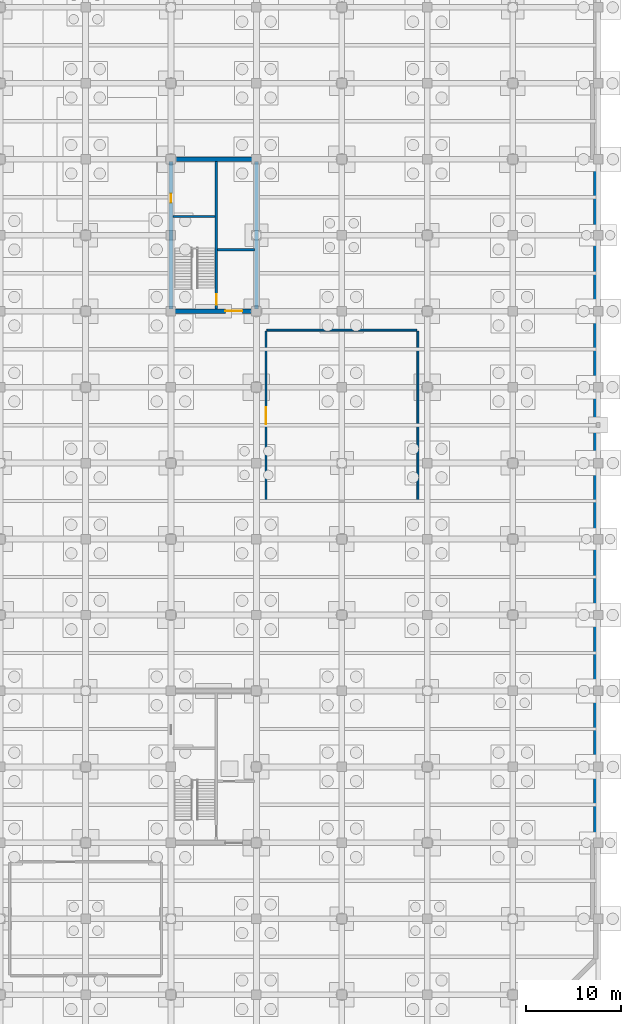
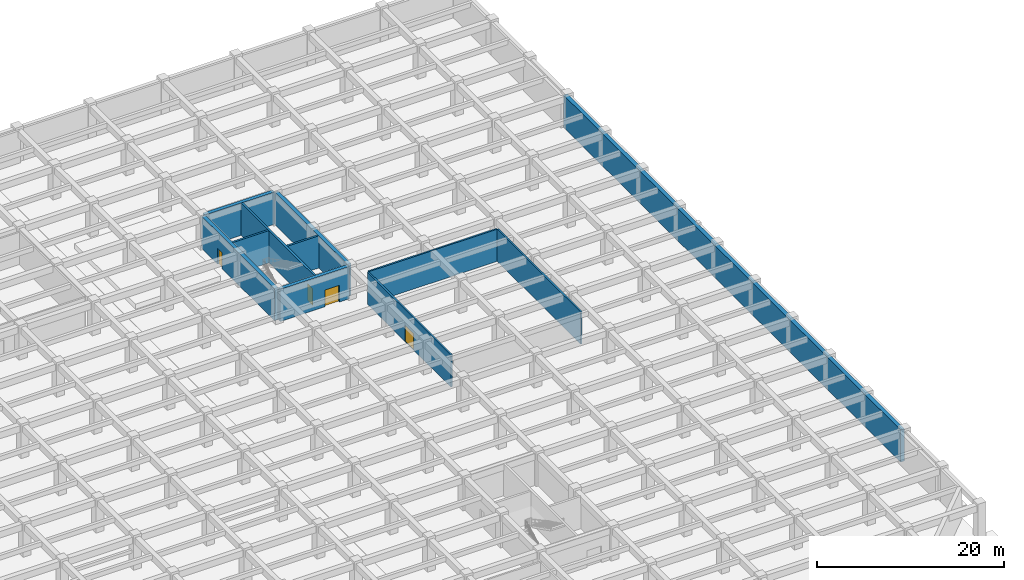
# One storey, part 25 of 31: 11 walls, 4 doors, 4 openings.
"""IFC4 building model written with IfcOpenShell, lengths in metres."""

from ifc_helpers import new_model, si_unit, direction, frame, frame_2d, origin, place, context, subcontext, project, spatial, rectangle, extrude, material, layer, layer_set, type_object, element, fill, save


model = new_model("IFC4")

# Units and contexts
model_context = context("Model", 3, precision=1e-05, world=origin(), true_north=direction((0.0, 1.0)))
body_context = subcontext(model_context, "Body", "Model", "MODEL_VIEW")
ifc_project = project(units=[si_unit("LENGTHUNIT", "METRE"), si_unit("AREAUNIT", "SQUARE_METRE"), si_unit("VOLUMEUNIT", "CUBIC_METRE"), si_unit("PLANEANGLEUNIT", "RADIAN"), si_unit("MASSUNIT", "GRAM", prefix="KILO")], contexts=[model_context])

# Site, building, storey
site_placement = place(None, origin())
site = spatial("IfcSite", under=ifc_project, at=site_placement, CompositionType="ELEMENT")
building_placement = place(site_placement, origin())
building = spatial("IfcBuilding", under=site, at=building_placement, Name="Zaverband Oceanarium and Marine Research Institute", CompositionType="ELEMENT")
storey_placement = place(building_placement, frame((0.0, 0.0, -9.0)))
storey = spatial("IfcBuildingStorey", under=building, at=storey_placement, Name="B2", CompositionType="ELEMENT", Elevation=-9.0)

# Wall, opening, door
ifc_material_1 = material(Name="Concrete C50/60", Category="concrete")
ifc_layer_1 = layer(ifc_material_1, 0.449951171875, Name="Concrete C50/60")
ifc_layer_set_1 = layer_set([ifc_layer_1], Name="Concrete C50/60")
wall_type_1 = type_object("IfcWallType", Name="CW-02", PredefinedType="SHEAR", material=ifc_layer_set_1)
wall_1_placement = place(storey_placement, frame((135.22509765625, 80.0, 0.0), z_axis=(0.0, 0.0, 1.0), x_axis=(1.0, 0.0, 0.0)))
wall_1 = element("IfcWall", 1, at=wall_1_placement, inside=storey, type_object=wall_type_1, Name="Structural shear wall CW-02", PredefinedType="SHEAR", context=body_context, shape_type="SweptSolid", body=[
    extrude(rectangle(XDim=8.5498046875, YDim=0.449951171875, at=frame_2d((4.27490234375, 0.0))), origin(), (0.0, 0.0, 1.0), 4.199951171875),
])
opening_1_placement = place(wall_1_placement, frame((5.5, 0.0, 0.0)))
opening_1 = element("IfcOpeningElement", 2, at=opening_1_placement, cuts=wall_1, Name="Opening FD-02", PredefinedType="OPENING", context=body_context, shape_type="SweptSolid", body=[
    extrude(rectangle(XDim=1.800048828125, YDim=2.179931640625, at=frame_2d((0.89990234375, 1.08984375))), frame((0.0, 0.23681640625, 0.0), z_axis=(0.0, -1.0, 0.0), x_axis=(1.0, 0.0, 0.0)), (0.0, 0.0, 1.0), 0.473876953125),
])
ifc_material_2 = material(Name="Steel S355", Category="steel")
door_type_1 = type_object("IfcDoorType", Name="FD-02", OperationType="DOUBLE_DOOR_SINGLE_SWING", PredefinedType="DOOR", material=ifc_material_2)
door_1_placement = place(opening_1_placement, origin())
door_1 = element("IfcDoor", 3, at=door_1_placement, inside=storey, type_object=door_type_1, Name="Protected lobby double fire door FD-02", OperationType="DOUBLE_DOOR_SINGLE_SWING", OverallHeight=2.179931640625, OverallWidth=1.800048828125, PredefinedType="DOOR", context=body_context, shape_type="SweptSolid", body=[
    extrude(rectangle(XDim=1.800048828125, YDim=2.179931640625, at=frame_2d((0.89990234375, 1.08984375))), frame((0.0, 0.02490234375, 0.0), z_axis=(0.0, -1.0, 0.0), x_axis=(1.0, 0.0, 0.0)), (0.0, 0.0, 1.0), 0.050048828125),
])
fill(opening_1, door_1)

# Wall
wall_2_placement = place(storey_placement, frame((135.22509765625, 96.0, 0.0), z_axis=(0.0, 0.0, 1.0), x_axis=(1.0, 0.0, 0.0)))
element("IfcWall", 4, at=wall_2_placement, inside=storey, type_object=wall_type_1, Name="Structural shear wall CW-02", PredefinedType="SHEAR", context=body_context, shape_type="SweptSolid", body=[
    extrude(rectangle(XDim=8.5498046875, YDim=0.449951171875, at=frame_2d((4.27490234375, 0.0))), origin(), (0.0, 0.0, 1.0), 4.199951171875),
])

# Wall, opening, door
wall_3_placement = place(storey_placement, frame((135.0, 80.22509765625, 0.0), z_axis=(0.0, 0.0, 1.0), x_axis=(0.0, 1.0, 0.0)))
wall_3 = element("IfcWall", 5, at=wall_3_placement, inside=storey, type_object=wall_type_1, Name="Structural shear wall CW-02", PredefinedType="SHEAR", context=body_context, shape_type="SweptSolid", body=[
    extrude(rectangle(XDim=15.5498046875, YDim=0.449951171875, at=frame_2d((7.77490234375, 0.0))), origin(), (0.0, 0.0, 1.0), 4.199951171875),
])
opening_2_placement = place(wall_3_placement, frame((11.199951171875, 0.0, 0.0)))
opening_2 = element("IfcOpeningElement", 6, at=opening_2_placement, cuts=wall_3, Name="Opening FD-03", PredefinedType="OPENING", context=body_context, shape_type="SweptSolid", body=[
    extrude(rectangle(XDim=0.949951171875, YDim=2.10009765625, at=frame_2d((0.47509765625, 1.050048828125))), frame((0.0, 0.23681640625, 0.0), z_axis=(0.0, -1.0, 0.0), x_axis=(1.0, 0.0, 0.0)), (0.0, 0.0, 1.0), 0.473876953125),
])
door_type_2 = type_object("IfcDoorType", Name="FD-03", OperationType="NOTDEFINED", PredefinedType="DOOR", material=ifc_material_2)
door_2_placement = place(opening_2_placement, origin())
door_2 = element("IfcDoor", 7, at=door_2_placement, inside=storey, type_object=door_type_2, Name="Service riser access fire door FD-03", OperationType="SINGLE_SWING_RIGHT", OverallHeight=2.10009765625, OverallWidth=0.949951171875, PredefinedType="DOOR", context=body_context, shape_type="SweptSolid", body=[
    extrude(rectangle(XDim=0.949951171875, YDim=2.10009765625, at=frame_2d((0.47509765625, 1.050048828125))), frame((0.0, 0.02490234375, 0.0), z_axis=(0.0, -1.0, 0.0), x_axis=(1.0, 0.0, 0.0)), (0.0, 0.0, 1.0), 0.050048828125),
])
fill(opening_2, door_2)

# Walls
wall_4_placement = place(storey_placement, frame((144.0, 80.22509765625, 0.0), z_axis=(0.0, 0.0, 1.0), x_axis=(0.0, 1.0, 0.0)))
element("IfcWall", 8, at=wall_4_placement, inside=storey, type_object=wall_type_1, Name="Structural shear wall CW-02", PredefinedType="SHEAR", context=body_context, shape_type="SweptSolid", body=[
    extrude(rectangle(XDim=15.5498046875, YDim=0.449951171875, at=frame_2d((7.77490234375, 0.0))), origin(), (0.0, 0.0, 1.0), 4.199951171875),
])
ifc_material_3 = material(Name="Fire-rated masonry compartment wall", Category="masonry")
ifc_layer_2 = layer(ifc_material_3, 0.199951171875, Name="Fire-rated masonry compartment wall")
ifc_layer_set_2 = layer_set([ifc_layer_2], Name="Fire-rated masonry compartment wall")
wall_type_2 = type_object("IfcWallType", Name="PT-200-FR", PredefinedType="PARTITIONING", material=ifc_layer_set_2)
wall_5_placement = place(storey_placement, frame((145.10009765625, 78.0, 0.0), z_axis=(0.0, 0.0, 1.0), x_axis=(1.0, 0.0, 0.0)))
element("IfcWall", 9, at=wall_5_placement, inside=storey, type_object=wall_type_2, Name="Internal partition PT-200-FR", PredefinedType="PARTITIONING", context=body_context, shape_type="SweptSolid", body=[
    extrude(rectangle(XDim=15.7998046875, YDim=0.199951171875, at=frame_2d((7.89990234375, 0.0))), origin(), (0.0, 0.0, 1.0), 4.199951171875),
])

# Wall, opening, door
wall_6_placement = place(storey_placement, frame((145.0, 60.10009765625, 0.0), z_axis=(0.0, 0.0, 1.0), x_axis=(0.0, 1.0, 0.0)))
wall_6 = element("IfcWall", 10, at=wall_6_placement, inside=storey, type_object=wall_type_2, Name="Internal partition PT-200-FR", PredefinedType="PARTITIONING", context=body_context, shape_type="SweptSolid", body=[
    extrude(rectangle(XDim=17.7998046875, YDim=0.199951171875, at=frame_2d((8.89990234375, 0.0))), origin(), (0.0, 0.0, 1.0), 4.199951171875),
])
opening_3_placement = place(wall_6_placement, frame((8.010009765625, 0.0, 0.0)))
opening_3 = element("IfcOpeningElement", 11, at=opening_3_placement, cuts=wall_6, Name="Opening ID-1780x2160", PredefinedType="OPENING", context=body_context, shape_type="SweptSolid", body=[
    extrude(rectangle(XDim=1.780029296875, YDim=2.159912109375, at=frame_2d((0.89013671875, 1.080078125))), frame((0.0, 0.11181640625, 0.0), z_axis=(0.0, -1.0, 0.0), x_axis=(1.0, 0.0, 0.0)), (0.0, 0.0, 1.0), 0.223876953125),
])
door_type_3 = type_object("IfcDoorType", Name="ID-1780x2160", OperationType="DOUBLE_DOOR_SINGLE_SWING", PredefinedType="DOOR", material=ifc_material_2)
door_3_placement = place(opening_3_placement, origin())
door_3 = element("IfcDoor", 12, at=door_3_placement, inside=storey, type_object=door_type_3, Name="Chiller plant double door ID-1780x2160", OperationType="DOUBLE_DOOR_SINGLE_SWING", OverallHeight=2.159912109375, OverallWidth=1.780029296875, PredefinedType="DOOR", context=body_context, shape_type="SweptSolid", body=[
    extrude(rectangle(XDim=1.780029296875, YDim=2.159912109375, at=frame_2d((0.89013671875, 1.080078125))), frame((0.0, 0.02490234375, 0.0), z_axis=(0.0, -1.0, 0.0), x_axis=(1.0, 0.0, 0.0)), (0.0, 0.0, 1.0), 0.050048828125),
])
fill(opening_3, door_3)

# Wall
wall_7_placement = place(storey_placement, frame((161.0, 60.10009765625, 0.0), z_axis=(0.0, 0.0, 1.0), x_axis=(0.0, 1.0, 0.0)))
element("IfcWall", 13, at=wall_7_placement, inside=storey, type_object=wall_type_2, Name="Internal partition PT-200-FR", PredefinedType="PARTITIONING", context=body_context, shape_type="SweptSolid", body=[
    extrude(rectangle(XDim=17.7998046875, YDim=0.199951171875, at=frame_2d((8.89990234375, 0.0))), origin(), (0.0, 0.0, 1.0), 4.199951171875),
])

# Wall, opening, door
ifc_layer_3 = layer(ifc_material_1, 0.25, Name="Concrete C50/60")
ifc_layer_set_3 = layer_set([ifc_layer_3], Name="Concrete C50/60")
wall_type_3 = type_object("IfcWallType", Name="PW-CORE-250", PredefinedType="SOLIDWALL", material=ifc_layer_set_3)
wall_8_placement = place(storey_placement, frame((139.77490234375, 80.22509765625, 0.0), z_axis=(0.0, 0.0, 1.0), x_axis=(0.0, 1.0, 0.0)))
wall_8 = element("IfcWall", 14, at=wall_8_placement, inside=storey, type_object=wall_type_3, Name="Structural concrete wall PW-CORE-250", PredefinedType="SOLIDWALL", context=body_context, shape_type="SweptSolid", body=[
    extrude(rectangle(XDim=15.5498046875, YDim=0.25, at=frame_2d((7.77490234375, 0.0))), origin(), (0.0, 0.0, 1.0), 4.199951171875),
])
opening_4_placement = place(wall_8_placement, frame((0.449951171875, 0.0, 0.0)))
opening_4 = element("IfcOpeningElement", 15, at=opening_4_placement, cuts=wall_8, Name="Opening FD-01", PredefinedType="OPENING", context=body_context, shape_type="SweptSolid", body=[
    extrude(rectangle(XDim=1.10009765625, YDim=2.14990234375, at=frame_2d((0.550048828125, 1.074951171875))), frame((0.0, 0.136962890625, 0.0), z_axis=(0.0, -1.0, 0.0), x_axis=(1.0, 0.0, 0.0)), (0.0, 0.0, 1.0), 0.27392578125),
])
door_type_4 = type_object("IfcDoorType", Name="FD-01", OperationType="NOTDEFINED", PredefinedType="DOOR", material=ifc_material_2)
door_4_placement = place(opening_4_placement, origin())
door_4 = element("IfcDoor", 16, at=door_4_placement, inside=storey, type_object=door_type_4, Name="Core stair / lobby fire door FD-01", OperationType="SINGLE_SWING_LEFT", OverallHeight=2.14990234375, OverallWidth=1.10009765625, PredefinedType="DOOR", context=body_context, shape_type="SweptSolid", body=[
    extrude(rectangle(XDim=1.10009765625, YDim=2.14990234375, at=frame_2d((0.550048828125, 1.074951171875))), frame((0.0, 0.02490234375, 0.0), z_axis=(0.0, -1.0, 0.0), x_axis=(1.0, 0.0, 0.0)), (0.0, 0.0, 1.0), 0.050048828125),
])
fill(opening_4, door_4)

# Walls
wall_9_placement = place(storey_placement, frame((135.22509765625, 89.97509765625, 0.0), z_axis=(0.0, 0.0, 1.0), x_axis=(1.0, 0.0, 0.0)))
element("IfcWall", 17, at=wall_9_placement, inside=storey, type_object=wall_type_3, Name="Structural concrete wall PW-CORE-250", PredefinedType="SOLIDWALL", context=body_context, shape_type="SweptSolid", body=[
    extrude(rectangle(XDim=4.419921875, YDim=0.25, at=frame_2d((2.2099609375, 0.0))), origin(), (0.0, 0.0, 1.0), 4.199951171875),
])
wall_10_placement = place(storey_placement, frame((139.905029296875, 86.47509765625, 0.0), z_axis=(0.0, 0.0, 1.0), x_axis=(1.0, 0.0, 0.0)))
element("IfcWall", 18, at=wall_10_placement, inside=storey, type_object=wall_type_3, Name="Structural concrete wall PW-CORE-250", PredefinedType="SOLIDWALL", context=body_context, shape_type="SweptSolid", body=[
    extrude(rectangle(XDim=3.869873046875, YDim=0.25, at=frame_2d((1.93505859375, 0.0))), origin(), (0.0, 0.0, 1.0), 4.199951171875),
])
ifc_material_4 = material(Name="Concrete C45/55", Category="concrete")
ifc_layer_4 = layer(ifc_material_4, 0.47998046875, Name="Concrete C45/55")
ifc_layer_set_4 = layer_set([ifc_layer_4], Name="Concrete C45/55")
wall_type_4 = type_object("IfcWallType", Name="RW-01", PredefinedType="SHEAR", material=ifc_layer_set_4)
wall_11_placement = place(storey_placement, frame((179.75, 24.0, 0.0), z_axis=(0.0, 0.0, 1.0), x_axis=(0.0, 1.0, 0.0)))
element("IfcWall", 19, at=wall_11_placement, inside=storey, type_object=wall_type_4, Name="Basement retaining wall RW-01", PredefinedType="SHEAR", context=body_context, shape_type="SweptSolid", body=[
    extrude(rectangle(XDim=72.0, YDim=0.47998046875, at=frame_2d((36.0, 0.0))), origin(), (0.0, 0.0, 1.0), 4.199951171875),
])

save(model, "model.ifc")
